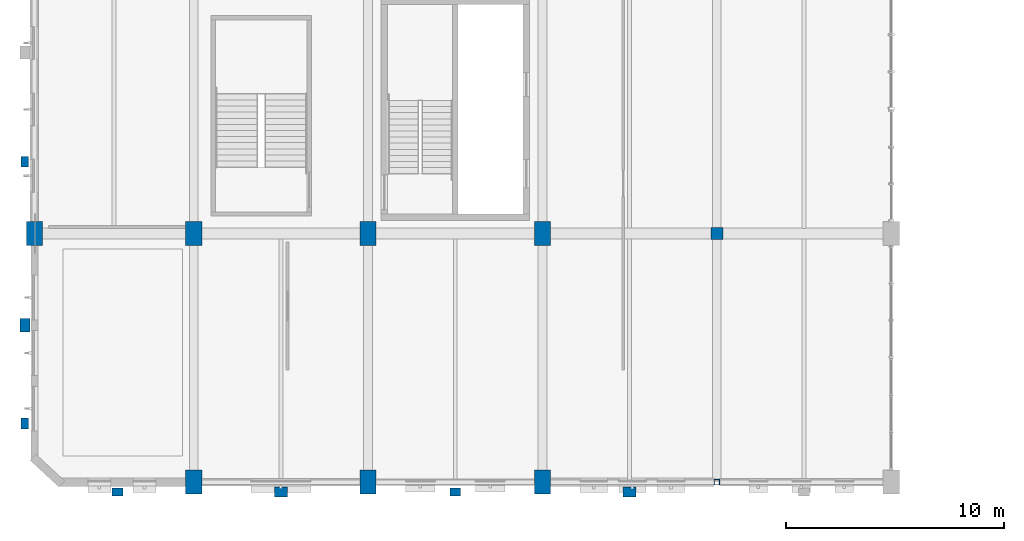
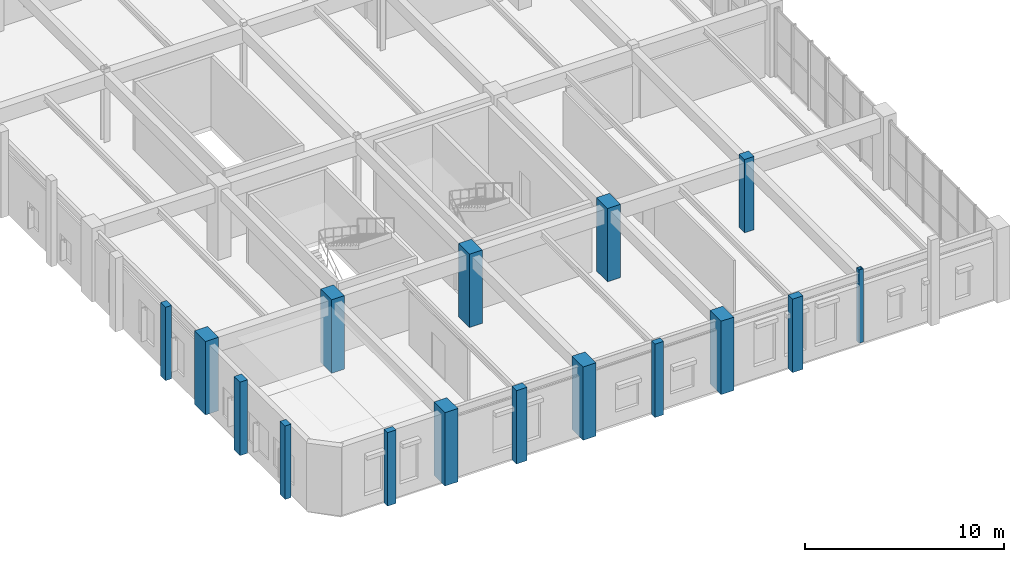
# One storey, part 1 of 48: 16 columns.
"""IFC4 building model written with IfcOpenShell, lengths in metres."""

from ifc_helpers import new_model, si_unit, direction, frame, origin, origin_2d, place, context, subcontext, project, spatial, rectangle, hollow_rectangle, extrude, material, material_profile, profile_set, type_object, element, save


model = new_model("IFC4")

# Units and contexts
model_context = context("Model", 3, precision=1e-05, world=origin(), true_north=direction((0.0, 1.0)))
body_context = subcontext(model_context, "Body", "Model", "MODEL_VIEW")
ifc_project = project(units=[si_unit("LENGTHUNIT", "METRE"), si_unit("AREAUNIT", "SQUARE_METRE"), si_unit("VOLUMEUNIT", "CUBIC_METRE"), si_unit("PLANEANGLEUNIT", "RADIAN"), si_unit("MASSUNIT", "GRAM", prefix="KILO"), si_unit("POWERUNIT", "WATT"), si_unit("THERMODYNAMICTEMPERATUREUNIT", "KELVIN")], contexts=[model_context])

# Site, building, storey
site_placement = place(None, origin())
site = spatial("IfcSite", under=ifc_project, at=site_placement, CompositionType="ELEMENT")
building_placement = place(site_placement, origin())
building = spatial("IfcBuilding", under=site, at=building_placement, Name="Kelmbourne Parkland Aquatics Centre", CompositionType="ELEMENT")
storey_placement = place(building_placement, frame((0.0, 0.0, 14.699951171875)))
storey = spatial("IfcBuildingStorey", under=building, at=storey_placement, Name="L03", CompositionType="ELEMENT", Elevation=14.699951171875)

# Columns
ifc_material_1 = material(Name="Concrete C40/50", Category="concrete")
ifc_material_profile_1 = material_profile(ifc_material_1, rectangle(XDim=0.75, YDim=1.10009765625, at=origin_2d()), Name="RC 750x1100")
ifc_profile_set_1 = profile_set([ifc_material_profile_1], Name="Concrete C40/50")
column_type_1 = type_object("IfcColumnType", Name="COL-C03", PredefinedType="COLUMN", material=ifc_profile_set_1)
for number, where, z_axis, x_axis, name in (
    (1, (0.699951171875, 12.199951171875, 0.0), (0.0, 0.0, 1.0), (1.0, 0.0, 0.0), "Structural column A-03 (L03)"),
    (2, (8.0, 0.800048828125, 0.0), (0.0, 0.0, 1.0), (1.0, 0.0, 0.0), "Structural column B-01 (L03)"),
    (3, (8.0, 12.199951171875, 0.0), (0.0, 0.0, 1.0), (1.0, 0.0, 0.0), "Structural column B-03 (L03)"),
    (4, (16.0, 0.800048828125, 0.0), (0.0, 0.0, 1.0), (1.0, 0.0, 0.0), "Structural column C-01 (L03)"),
    (5, (16.0, 12.199951171875, 0.0), (0.0, 0.0, 1.0), (1.0, 0.0, 0.0), "Structural column C-03 (L03)"),
    (6, (24.0, 0.800048828125, 0.0), (0.0, 0.0, 1.0), (1.0, 0.0, 0.0), "Structural column D-01 (L03)"),
    (7, (24.0, 12.199951171875, 0.0), (0.0, 0.0, 1.0), (1.0, 0.0, 0.0), "Structural column D-03 (L03)"),
):
    element("IfcColumn", number, at=place(storey_placement, frame(where, z_axis=z_axis, x_axis=x_axis)), inside=storey, type_object=column_type_1, Name=name, PredefinedType="COLUMN", context=body_context, shape_type="SweptSolid", body=[
        extrude(rectangle(XDim=0.75, YDim=1.10009765625, at=origin_2d()), origin(), (0.0, 0.0, 1.0), 4.5),
    ])
ifc_material_profile_2 = material_profile(ifc_material_1, rectangle(XDim=0.550048828125, YDim=0.550048828125, at=origin_2d()), Name="RC 550x550")
ifc_profile_set_2 = profile_set([ifc_material_profile_2], Name="Concrete C40/50")
column_type_2 = type_object("IfcColumnType", Name="COL-C07", PredefinedType="COLUMN", material=ifc_profile_set_2)
column_1_placement = place(storey_placement, frame((32.0, 12.199951171875, 0.0), z_axis=(0.0, 0.0, 1.0), x_axis=(1.0, 0.0, 0.0)))
element("IfcColumn", 8, at=column_1_placement, inside=storey, type_object=column_type_2, Name="Structural column E-03 (L03)", PredefinedType="COLUMN", context=body_context, shape_type="SweptSolid", body=[
    extrude(rectangle(XDim=0.550048828125, YDim=0.550048828125, at=origin_2d()), origin(), (0.0, 0.0, 1.0), 4.5),
])
ifc_material_2 = material(Name="Cold-formed hollow steel AS/NZS 1163 C350L0", Category="steel")
ifc_material_profile_3 = material_profile(ifc_material_2, hollow_rectangle(XDim=0.25, YDim=0.25, WallThickness=0.012451171875, at=origin_2d()), Name="SHS 250x250x12.5")
ifc_profile_set_3 = profile_set([ifc_material_profile_3], Name="Cold-formed hollow steel AS/NZS 1163 C350L0")
column_type_3 = type_object("IfcColumnType", Name="COL-C23", PredefinedType="COLUMN", material=ifc_profile_set_3)
column_2_placement = place(storey_placement, frame((32.0, 0.800048828125, 0.0), z_axis=(0.0, 0.0, 1.0), x_axis=(1.0, 0.0, 0.0)))
element("IfcColumn", 9, at=column_2_placement, inside=storey, type_object=column_type_3, Name="Structural column E-01 (L03)", PredefinedType="COLUMN", context=body_context, shape_type="SweptSolid", body=[
    extrude(hollow_rectangle(XDim=0.25, YDim=0.25, WallThickness=0.012451171875, at=origin_2d()), origin(), (0.0, 0.0, 1.0), 4.5),
])
ifc_material_3 = material(Name="Clay brick masonry AS 3700 M12", Category="masonry")
ifc_material_profile_4 = material_profile(ifc_material_3, rectangle(XDim=0.35009765625, YDim=0.5, at=origin_2d()), Name="PIL 350x500")
ifc_profile_set_4 = profile_set([ifc_material_profile_4], Name="Clay brick masonry AS 3700 M12")
column_type_4 = type_object("IfcColumnType", Name="PIL-PL1", PredefinedType="PILASTER", material=ifc_profile_set_4)
for number, where, z_axis, x_axis, name in (
    (10, (0.260009765625, 3.5, 0.0), (0.0, 0.0, 1.0), (1.0, 0.0, 0.0), "Amsterdam School engaged brick buttress W-001 (L03)"),
    (11, (0.260009765625, 15.5, 0.0), (0.0, 0.0, 1.0), (1.0, 0.0, 0.0), "Amsterdam School engaged brick buttress W-003 (L03)"),
    (12, (4.5, 0.35009765625, 0.0), (0.0, 0.0, 1.0), (0.0, 1.0, 0.0), "Amsterdam School engaged brick buttress S-019 (L03)"),
    (13, (20.0, 0.35009765625, 0.0), (0.0, 0.0, 1.0), (0.0, 1.0, 0.0), "Amsterdam School engaged brick buttress S-021 (L03)"),
):
    element("IfcColumn", number, at=place(storey_placement, frame(where, z_axis=z_axis, x_axis=x_axis)), inside=storey, type_object=column_type_4, Name=name, PredefinedType="PILASTER", context=body_context, shape_type="SweptSolid", body=[
        extrude(rectangle(XDim=0.35009765625, YDim=0.5, at=origin_2d()), origin(), (0.0, 0.0, 1.0), 4.5),
    ])
ifc_material_profile_5 = material_profile(ifc_material_3, rectangle(XDim=0.449951171875, YDim=0.60009765625, at=origin_2d()), Name="PIL 450x600")
ifc_profile_set_5 = profile_set([ifc_material_profile_5], Name="Clay brick masonry AS 3700 M12")
column_type_5 = type_object("IfcColumnType", Name="PIL-PL2", PredefinedType="PILASTER", material=ifc_profile_set_5)
for number, where, z_axis, x_axis, name in (
    (14, (0.260009765625, 8.0, 0.0), (0.0, 0.0, 1.0), (1.0, 0.0, 0.0), "Amsterdam School engaged brick buttress W-002 (L03)"),
    (15, (12.0, 0.35009765625, 0.0), (0.0, 0.0, 1.0), (0.0, 1.0, 0.0), "Amsterdam School engaged brick buttress S-020 (L03)"),
    (16, (28.0, 0.35009765625, 0.0), (0.0, 0.0, 1.0), (0.0, 1.0, 0.0), "Amsterdam School engaged brick buttress S-022 (L03)"),
):
    element("IfcColumn", number, at=place(storey_placement, frame(where, z_axis=z_axis, x_axis=x_axis)), inside=storey, type_object=column_type_5, Name=name, PredefinedType="PILASTER", context=body_context, shape_type="SweptSolid", body=[
        extrude(rectangle(XDim=0.449951171875, YDim=0.60009765625, at=origin_2d()), origin(), (0.0, 0.0, 1.0), 4.5),
    ])

save(model, "model.ifc")
